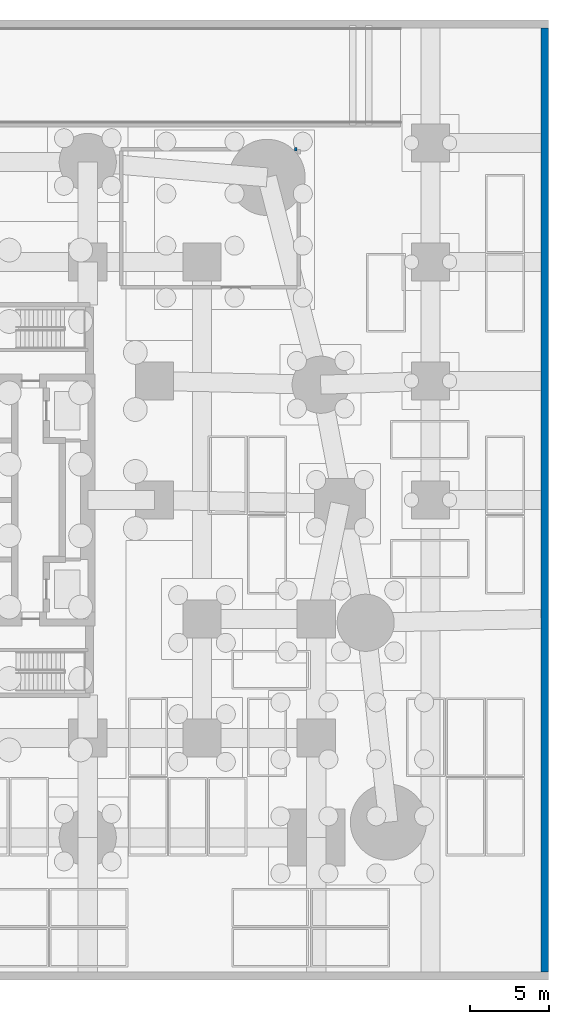
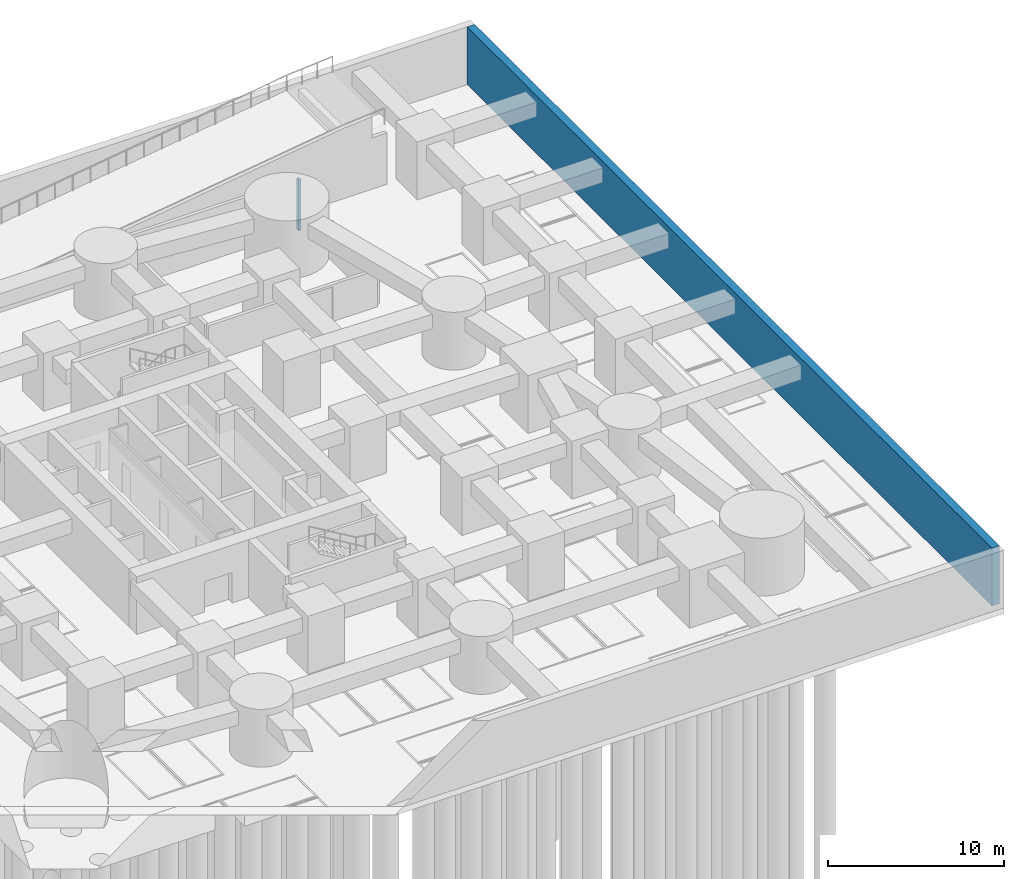
# One storey, part 6 of 10: 2 walls.
"""IFC4 building model written with IfcOpenShell, lengths in metres."""

from ifc_helpers import new_model, si_unit, direction, frame, frame_2d, origin, place, context, subcontext, project, spatial, rectangle, extrude, material, layer, layer_set, type_object, element, save


model = new_model("IFC4")

# Units and contexts
model_context = context("Model", 3, precision=1e-05, world=origin(), true_north=direction((0.0, 1.0)))
body_context = subcontext(model_context, "Body", "Model", "MODEL_VIEW")
ifc_project = project(units=[si_unit("LENGTHUNIT", "METRE"), si_unit("AREAUNIT", "SQUARE_METRE"), si_unit("VOLUMEUNIT", "CUBIC_METRE"), si_unit("PLANEANGLEUNIT", "RADIAN"), si_unit("MASSUNIT", "GRAM", prefix="KILO")], contexts=[model_context])

# Site, building, storey
site_placement = place(None, origin())
site = spatial("IfcSite", under=ifc_project, at=site_placement, CompositionType="ELEMENT")
building_placement = place(site_placement, origin())
building = spatial("IfcBuilding", under=site, at=building_placement, Name="Sheger Commons Tower", CompositionType="ELEMENT")
storey_placement = place(building_placement, frame((0.0, 0.0, -8.0)))
storey = spatial("IfcBuildingStorey", under=building, at=storey_placement, Name="B2", CompositionType="ELEMENT", Elevation=-8.0)

# Walls
ifc_material_1 = material(Name="Dense concrete block masonry, skimmed both sides", Category="masonry")
ifc_layer_1 = layer(ifc_material_1, 0.22509765625)
ifc_layer_set_1 = layer_set([ifc_layer_1], Name="FIRE WALL 225")
wall_type_1 = type_object("IfcWallType", Name="FIRE WALL 225", PredefinedType="SOLIDWALL", material=ifc_layer_set_1)
wall_1_placement = place(storey_placement, frame((41.837890625, 44.60009765625, 0.0), z_axis=(0.0, 0.0, 1.0), x_axis=(1.0, 0.0, 0.0)))
element("IfcWall", 1, at=wall_1_placement, inside=storey, type_object=wall_type_1, Name="Plant room wall B2", PredefinedType="SOLIDWALL", context=body_context, shape_type="SweptSolid", body=[
    extrude(rectangle(XDim=0.150146484375, YDim=0.22509765625, at=frame_2d((0.0751953125, 0.0))), origin(), (0.0, 0.0, 1.0), 3.550048828125),
])
ifc_material_2 = material(Name="Concrete C40/50", Category="concrete")
ifc_layer_2 = layer(ifc_material_2, 0.5)
ifc_layer_set_2 = layer_set([ifc_layer_2], Name="RETAINING WALL 500")
wall_type_2 = type_object("IfcWallType", Name="RETAINING WALL 500", PredefinedType="SOLIDWALL", material=ifc_layer_set_2)
wall_2_placement = place(storey_placement, frame((57.60009765625, -7.25, 0.0), z_axis=(0.0, 0.0, 1.0), x_axis=(0.0, 1.0, 0.0)))
element("IfcWall", 2, at=wall_2_placement, inside=storey, type_object=wall_type_2, Name="Retaining wall east B2", PredefinedType="SOLIDWALL", context=body_context, shape_type="SweptSolid", body=[
    extrude(rectangle(XDim=59.5, YDim=0.5, at=frame_2d((29.75, 0.0))), origin(), (0.0, 0.0, 1.0), 4.0),
])

save(model, "model.ifc")
